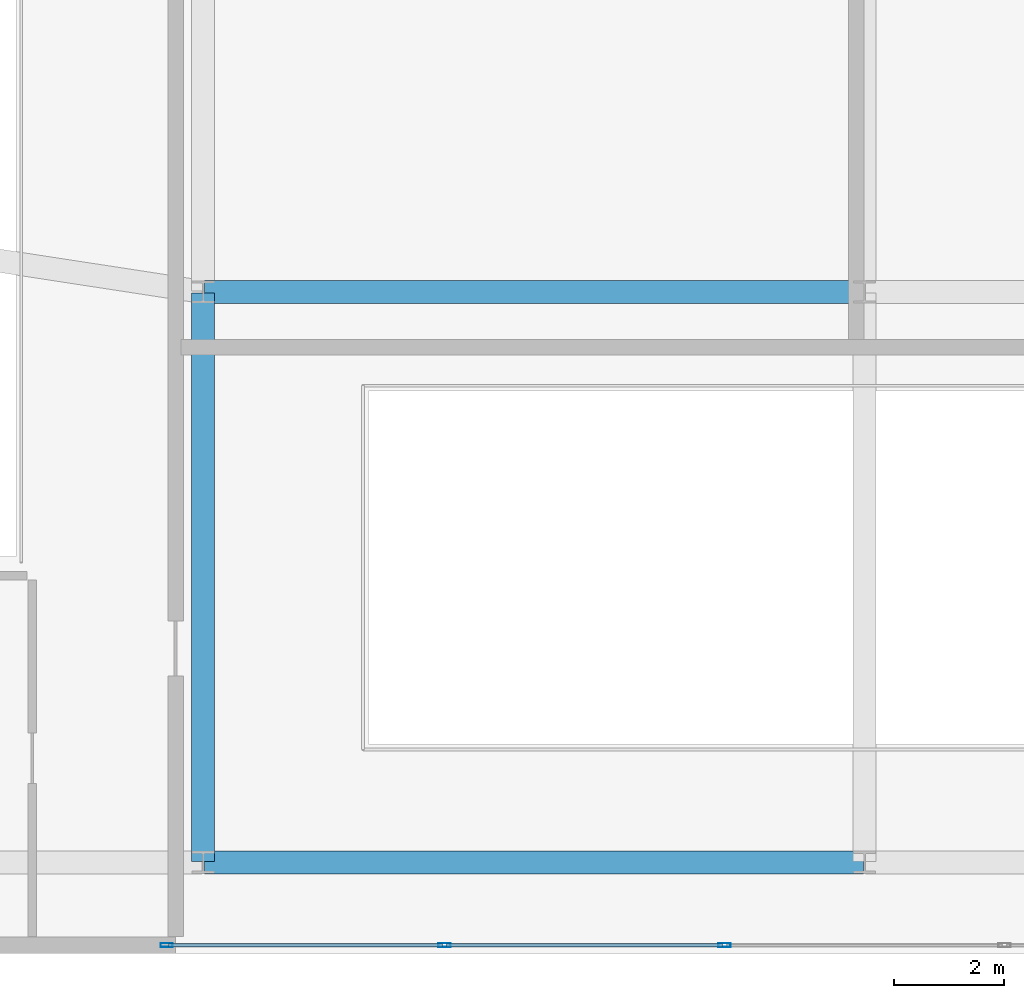
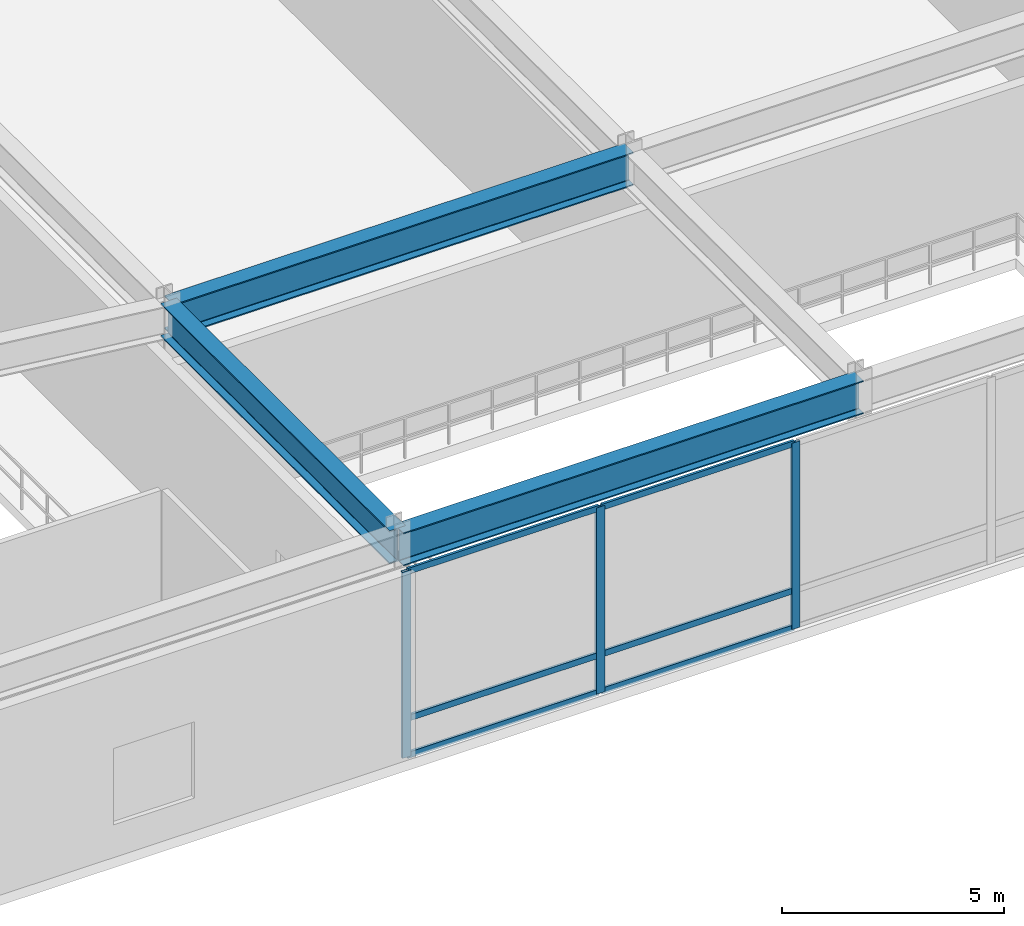
# One storey, part 4 of 13: 9 members, 3 beams, 1 element without a shape of its own.
"""IFC4 building model written with IfcOpenShell, lengths in metres."""

from ifc_helpers import new_model, si_unit, direction, frame, origin, origin_2d, place, context, subcontext, project, spatial, hollow_rectangle, i_section, extrude, source, transform, mapped, material, layer, layer_set, material_profile, profile_set, type_object, type_shapes, element, aggregate, save


model = new_model("IFC4")

# Units and contexts
model_context = context("Model", 3, precision=1e-05, world=origin(), true_north=direction((0.0, 1.0)))
body_context = subcontext(model_context, "Body", "Model", "MODEL_VIEW")
ifc_project = project(units=[si_unit("LENGTHUNIT", "METRE"), si_unit("AREAUNIT", "SQUARE_METRE"), si_unit("VOLUMEUNIT", "CUBIC_METRE"), si_unit("PLANEANGLEUNIT", "RADIAN"), si_unit("MASSUNIT", "GRAM", prefix="KILO")], contexts=[model_context])

# Site, building, storey
site_placement = place(None, origin())
site = spatial("IfcSite", under=ifc_project, at=site_placement, CompositionType="ELEMENT")
building_placement = place(site_placement, origin())
building = spatial("IfcBuilding", under=site, at=building_placement, Name="Varnel Quay Broadcast Tower", CompositionType="ELEMENT")
storey_placement = place(building_placement, frame((0.0, 0.0, 6.0)))
storey = spatial("IfcBuildingStorey", under=building, at=storey_placement, Name="L01", CompositionType="ELEMENT", Elevation=6.0)

# Beams
ifc_material_1 = material(Name="Structural Steel CSA G40.21 350W", Category="steel")
ifc_material_profile_1 = material_profile(ifc_material_1, i_section(OverallWidth=0.41796875, OverallDepth=0.912109375, WebThickness=0.019287109375, FlangeThickness=0.031982421875, FilletRadius=0.02197265625, at=origin_2d()), Name="W920X342")
ifc_profile_set_1 = profile_set([ifc_material_profile_1], Name="Structural Steel CSA G40.21 350W")
beam_type = type_object("IfcBeamType", Name="Girder_W920X342", PredefinedType="BEAM", material=ifc_profile_set_1)
shared_shape_1 = source(origin(), body_context, "Body", "SweptSolid", [
    extrude(i_section(OverallWidth=0.41796875, OverallDepth=0.912109375, WebThickness=0.019287109375, FlangeThickness=0.031982421875, FilletRadius=0.02197265625, at=origin_2d()), origin(), (0.0, 0.0, 1.0), 11.9599609375),
])
for number, where, z_axis, x_axis, name in (
    (1, (22.02001953125, 1.64990234375, 4.6640625), (1.0, 0.0, 0.0), (0.0, 1.0, 0.0), "L01 Girder G-PS2"),
    (2, (22.02001953125, 12.0, 4.6640625), (1.0, 0.0, 0.0), (0.0, 1.0, 0.0), "L01 Girder G-STC1A"),
):
    element("IfcBeam", number, at=place(storey_placement, frame(where, z_axis=z_axis, x_axis=x_axis)), inside=storey, type_object=beam_type, Name=name, PredefinedType="BEAM", context=body_context, shape_type="MappedRepresentation", body=[
        mapped(shared_shape_1, transform((0.0, 0.0, 0.0), x_axis=(1.0, 0.0, 0.0), y_axis=(0.0, 1.0, 0.0), z_axis=(0.0, 0.0, 1.0), scale=1.0)),
    ])
shared_shape_2 = source(origin(), body_context, "Body", "SweptSolid", [
    extrude(i_section(OverallWidth=0.41796875, OverallDepth=0.912109375, WebThickness=0.019287109375, FlangeThickness=0.031982421875, FilletRadius=0.02197265625, at=origin_2d()), origin(), (0.0, 0.0, 1.0), 10.31005859375),
])
type_shapes(beam_type, [shared_shape_1, shared_shape_2])
beam_placement = place(storey_placement, frame((22.0, 1.669921875, 4.6640625), z_axis=(0.0, 1.0, 0.0), x_axis=(-1.0, 0.0, 0.0)))
element("IfcBeam", 3, at=beam_placement, inside=storey, type_object=beam_type, Name="L01 Girder G-M1", PredefinedType="BEAM", context=body_context, shape_type="MappedRepresentation", body=[
    mapped(shared_shape_2, transform((0.0, 0.0, 0.0), x_axis=(1.0, 0.0, 0.0), y_axis=(0.0, 1.0, 0.0), z_axis=(0.0, 0.0, 1.0), scale=1.0)),
])

# Curtain wall, members
ifc_material_2 = material(Name="Anodised Bronze Aluminium 6063-T6", Category="aluminium")
ifc_layer = layer(ifc_material_2, 0.18994140625, Name="Anodised Bronze Aluminium 6063-T6")
ifc_layer_set = layer_set([ifc_layer], Name="Anodised Bronze Aluminium 6063-T6")
curtain_wall_type = type_object("IfcCurtainWallType", Name="CW_PodiumForum", PredefinedType="NOTDEFINED", material=ifc_layer_set)
curtain_wall_placement = place(storey_placement, origin())
curtain_wall = element("IfcCurtainWall", 4, at=curtain_wall_placement, inside=storey, type_object=curtain_wall_type, Name="L01 Waterfront Forum Curtain Wall", PredefinedType="NOTDEFINED")
ifc_material_profile_2 = material_profile(ifc_material_2, hollow_rectangle(XDim=0.074951171875, YDim=0.219970703125, WallThickness=0.00390625, at=origin_2d()), Name="ALU75X220X4")
ifc_profile_set_2 = profile_set([ifc_material_profile_2], Name="Anodised Bronze Aluminium 6063-T6")
member_type_1 = type_object("IfcMemberType", Name="Mull_CWS-01", PredefinedType="MULLION", material=ifc_profile_set_2)
shared_shape_3 = source(origin(), body_context, "Body", "SweptSolid", [
    extrude(hollow_rectangle(XDim=0.074951171875, YDim=0.219970703125, WallThickness=0.00390625, at=origin_2d()), origin(), (0.0, 0.0, 1.0), 5.1201171875),
])
type_shapes(member_type_1, [shared_shape_3])
member_1_placement = place(storey_placement, frame((21.33740234375, 0.14990234375, 0.0), z_axis=(0.0, 0.0, 1.0), x_axis=(0.0, 1.0, 0.0)))
member_1 = element("IfcMember", 5, at=member_1_placement, type_object=member_type_1, Name="CWS-01 mullion 1", PredefinedType="MULLION", context=body_context, shape_type="MappedRepresentation", body=[
    mapped(shared_shape_3, transform((0.0, 0.0, 0.0), x_axis=(1.0, 0.0, 0.0), y_axis=(0.0, 1.0, 0.0), z_axis=(0.0, 0.0, 1.0), scale=1.0)),
])
member_2_placement = place(storey_placement, frame((26.3798828125, 0.14990234375, 0.0), z_axis=(0.0, 0.0, 1.0), x_axis=(0.0, 1.0, 0.0)))
member_2 = element("IfcMember", 6, at=member_2_placement, type_object=member_type_1, Name="CWS-01 mullion 2", PredefinedType="MULLION", context=body_context, shape_type="MappedRepresentation", body=[
    mapped(shared_shape_3, transform((0.0, 0.0, 0.0), x_axis=(1.0, 0.0, 0.0), y_axis=(0.0, 1.0, 0.0), z_axis=(0.0, 0.0, 1.0), scale=1.0)),
])
member_3_placement = place(storey_placement, frame((31.4599609375, 0.14990234375, 0.0), z_axis=(0.0, 0.0, 1.0), x_axis=(0.0, 1.0, 0.0)))
member_3 = element("IfcMember", 7, at=member_3_placement, type_object=member_type_1, Name="CWS-01 mullion 3", PredefinedType="MULLION", context=body_context, shape_type="MappedRepresentation", body=[
    mapped(shared_shape_3, transform((0.0, 0.0, 0.0), x_axis=(1.0, 0.0, 0.0), y_axis=(0.0, 1.0, 0.0), z_axis=(0.0, 0.0, 1.0), scale=1.0)),
])
ifc_material_profile_3 = material_profile(ifc_material_2, hollow_rectangle(XDim=0.06494140625, YDim=0.1650390625, WallThickness=0.00341796875, at=origin_2d()), Name="ALU65X165X3.5")
ifc_profile_set_3 = profile_set([ifc_material_profile_3], Name="Anodised Bronze Aluminium 6063-T6")
member_type_2 = type_object("IfcMemberType", Name="Tran_CWS-01", PredefinedType="USERDEFINED", material=ifc_profile_set_3)
shared_shape_4 = source(origin(), body_context, "Body", "SweptSolid", [
    extrude(hollow_rectangle(XDim=0.06494140625, YDim=0.1650390625, WallThickness=0.00341796875, at=origin_2d()), origin(), (0.0, 0.0, 1.0), 4.967529296875),
])
member_4_placement = place(storey_placement, frame((21.375, 0.14990234375, 0.032470703125), z_axis=(1.0, 0.0, 0.0), x_axis=(0.0, 1.0, 0.0)))
member_4 = element("IfcMember", 8, at=member_4_placement, type_object=member_type_2, Name="CWS-01 transom 1.1", ObjectType="TRANSOM", PredefinedType="USERDEFINED", context=body_context, shape_type="MappedRepresentation", body=[
    mapped(shared_shape_4, transform((0.0, 0.0, 0.0), x_axis=(1.0, 0.0, 0.0), y_axis=(0.0, 1.0, 0.0), z_axis=(0.0, 0.0, 1.0), scale=1.0)),
])
member_5_placement = place(storey_placement, frame((21.375, 0.14990234375, 1.050048828125), z_axis=(1.0, 0.0, 0.0), x_axis=(0.0, 1.0, 0.0)))
member_5 = element("IfcMember", 9, at=member_5_placement, type_object=member_type_2, Name="CWS-01 transom 1.2", ObjectType="TRANSOM", PredefinedType="USERDEFINED", context=body_context, shape_type="MappedRepresentation", body=[
    mapped(shared_shape_4, transform((0.0, 0.0, 0.0), x_axis=(1.0, 0.0, 0.0), y_axis=(0.0, 1.0, 0.0), z_axis=(0.0, 0.0, 1.0), scale=1.0)),
])
member_6_placement = place(storey_placement, frame((21.375, 0.14990234375, 5.08740234375), z_axis=(1.0, 0.0, 0.0), x_axis=(0.0, 1.0, 0.0)))
member_6 = element("IfcMember", 10, at=member_6_placement, type_object=member_type_2, Name="CWS-01 transom 1.3", ObjectType="TRANSOM", PredefinedType="USERDEFINED", context=body_context, shape_type="MappedRepresentation", body=[
    mapped(shared_shape_4, transform((0.0, 0.0, 0.0), x_axis=(1.0, 0.0, 0.0), y_axis=(0.0, 1.0, 0.0), z_axis=(0.0, 0.0, 1.0), scale=1.0)),
])
shared_shape_5 = source(origin(), body_context, "Body", "SweptSolid", [
    extrude(hollow_rectangle(XDim=0.06494140625, YDim=0.1650390625, WallThickness=0.00341796875, at=origin_2d()), origin(), (0.0, 0.0, 1.0), 5.005126953125),
])
type_shapes(member_type_2, [shared_shape_4, shared_shape_5])
member_7_placement = place(storey_placement, frame((26.41748046875, 0.14990234375, 0.032470703125), z_axis=(1.0, 0.0, 0.0), x_axis=(0.0, 1.0, 0.0)))
member_7 = element("IfcMember", 11, at=member_7_placement, type_object=member_type_2, Name="CWS-01 transom 2.1", ObjectType="TRANSOM", PredefinedType="USERDEFINED", context=body_context, shape_type="MappedRepresentation", body=[
    mapped(shared_shape_5, transform((0.0, 0.0, 0.0), x_axis=(1.0, 0.0, 0.0), y_axis=(0.0, 1.0, 0.0), z_axis=(0.0, 0.0, 1.0), scale=1.0)),
])
member_8_placement = place(storey_placement, frame((26.41748046875, 0.14990234375, 1.050048828125), z_axis=(1.0, 0.0, 0.0), x_axis=(0.0, 1.0, 0.0)))
member_8 = element("IfcMember", 12, at=member_8_placement, type_object=member_type_2, Name="CWS-01 transom 2.2", ObjectType="TRANSOM", PredefinedType="USERDEFINED", context=body_context, shape_type="MappedRepresentation", body=[
    mapped(shared_shape_5, transform((0.0, 0.0, 0.0), x_axis=(1.0, 0.0, 0.0), y_axis=(0.0, 1.0, 0.0), z_axis=(0.0, 0.0, 1.0), scale=1.0)),
])
member_9_placement = place(storey_placement, frame((26.41748046875, 0.14990234375, 5.08740234375), z_axis=(1.0, 0.0, 0.0), x_axis=(0.0, 1.0, 0.0)))
member_9 = element("IfcMember", 13, at=member_9_placement, type_object=member_type_2, Name="CWS-01 transom 2.3", ObjectType="TRANSOM", PredefinedType="USERDEFINED", context=body_context, shape_type="MappedRepresentation", body=[
    mapped(shared_shape_5, transform((0.0, 0.0, 0.0), x_axis=(1.0, 0.0, 0.0), y_axis=(0.0, 1.0, 0.0), z_axis=(0.0, 0.0, 1.0), scale=1.0)),
])
aggregate(curtain_wall, [member_1, member_2, member_3, member_4, member_5, member_6, member_7, member_8, member_9])

save(model, "model.ifc")
